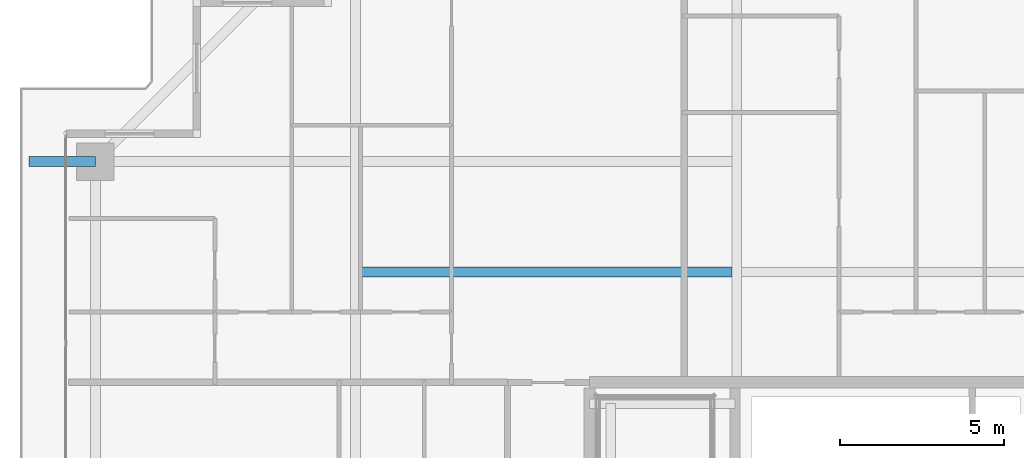
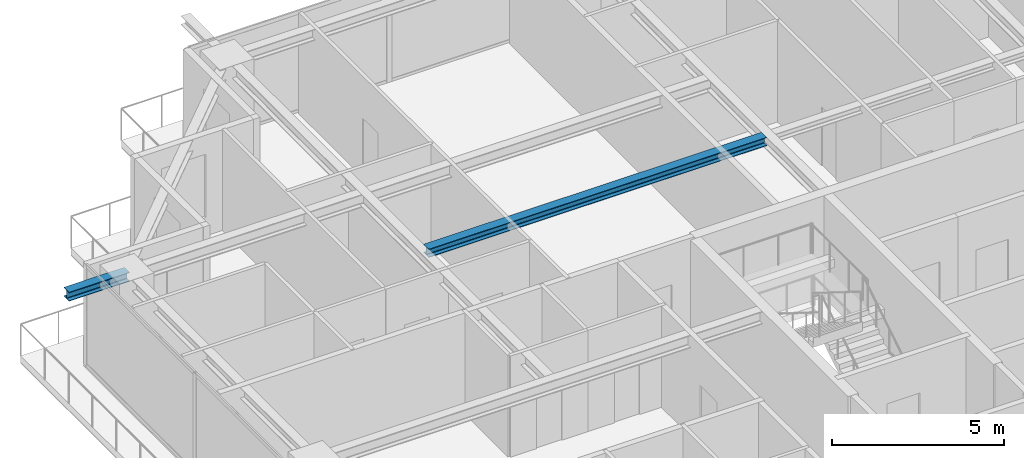
# One storey, part 17 of 38: 2 beams.
"""IFC4 building model written with IfcOpenShell, lengths in metres."""

from ifc_helpers import new_model, si_unit, direction, frame, origin, origin_2d, place, context, subcontext, project, spatial, i_section, extrude, source, transform, mapped, material, material_profile, profile_set, type_object, element, save


model = new_model("IFC4")

# Units and contexts
model_context = context("Model", 3, precision=1e-05, world=origin(), true_north=direction((0.0, 1.0)))
body_context = subcontext(model_context, "Body", "Model", "MODEL_VIEW")
ifc_project = project(units=[si_unit("LENGTHUNIT", "METRE"), si_unit("AREAUNIT", "SQUARE_METRE"), si_unit("VOLUMEUNIT", "CUBIC_METRE"), si_unit("PLANEANGLEUNIT", "RADIAN"), si_unit("MASSUNIT", "GRAM", prefix="KILO")], contexts=[model_context])

# Site, building, storey
site_placement = place(None, origin())
site = spatial("IfcSite", under=ifc_project, at=site_placement, CompositionType="ELEMENT")
building_placement = place(site_placement, origin())
building = spatial("IfcBuilding", under=site, at=building_placement, Name="Serunith Strait Residences", CompositionType="ELEMENT")
storey_placement = place(building_placement, frame((0.0, 0.0, 229.699951171875)))
storey = spatial("IfcBuildingStorey", under=building, at=storey_placement, Name="L57", CompositionType="ELEMENT", Elevation=229.699951171875)

# Beams
ifc_material = material(Name="Steel S355J2", Category="steel")
ifc_material_profile_1 = material_profile(ifc_material, i_section(OverallWidth=0.300048828125, OverallDepth=0.300048828125, WebThickness=0.010986328125, FlangeThickness=0.01904296875, FilletRadius=0.027099609375, at=origin_2d()), Name="HEB 300")
ifc_profile_set_1 = profile_set([ifc_material_profile_1], Name="Steel S355J2")
beam_type_1 = type_object("IfcBeamType", Name="BM-HEB300", PredefinedType="JOIST", material=ifc_profile_set_1)
shared_shape_1 = source(origin(), body_context, "Body", "SweptSolid", [
    extrude(i_section(OverallWidth=0.300048828125, OverallDepth=0.300048828125, WebThickness=0.010986328125, FlangeThickness=0.01904296875, FilletRadius=0.027099609375, at=origin_2d()), origin(), (0.0, 0.0, 1.0), 11.35009765625),
])
beam_1_placement = place(storey_placement, frame((16.39990234375, 36.97509765625, 3.43701171875), z_axis=(1.0, 0.0, 0.0), x_axis=(0.0, 1.0, 0.0)))
element("IfcBeam", 1, at=beam_1_placement, inside=storey, type_object=beam_type_1, Name="L57 Composite Floor Joist 04", PredefinedType="JOIST", context=body_context, shape_type="MappedRepresentation", body=[
    mapped(shared_shape_1, transform((0.0, 0.0, 0.0), scale=1.0)),
])
ifc_material_profile_2 = material_profile(ifc_material, i_section(OverallWidth=0.300048828125, OverallDepth=0.320068359375, WebThickness=0.011474609375, FlangeThickness=0.0205078125, FilletRadius=0.027099609375, at=origin_2d()), Name="HEB 320")
ifc_profile_set_2 = profile_set([ifc_material_profile_2], Name="Steel S355J2")
beam_type_2 = type_object("IfcBeamType", Name="BM-HEB320", PredefinedType="BEAM", material=ifc_profile_set_2)
shared_shape_2 = source(origin(), body_context, "Body", "SweptSolid", [
    extrude(i_section(OverallWidth=0.300048828125, OverallDepth=0.320068359375, WebThickness=0.011474609375, FlangeThickness=0.0205078125, FilletRadius=0.027099609375, at=origin_2d()), origin(), (0.0, 0.0, 1.0), 2.030029296875),
])
beam_2_placement = place(storey_placement, frame((8.300048828125, 40.35009765625, 3.39697265625), z_axis=(-1.0, 0.0, 0.0), x_axis=(0.0, -1.0, 0.0)))
element("IfcBeam", 2, at=beam_2_placement, inside=storey, type_object=beam_type_2, Name="L58 Cantilevered Balcony Rib TC-W4", PredefinedType="BEAM", context=body_context, shape_type="MappedRepresentation", body=[
    mapped(shared_shape_2, transform((0.0, 0.0, 0.0), scale=1.0)),
])

save(model, "model.ifc")
